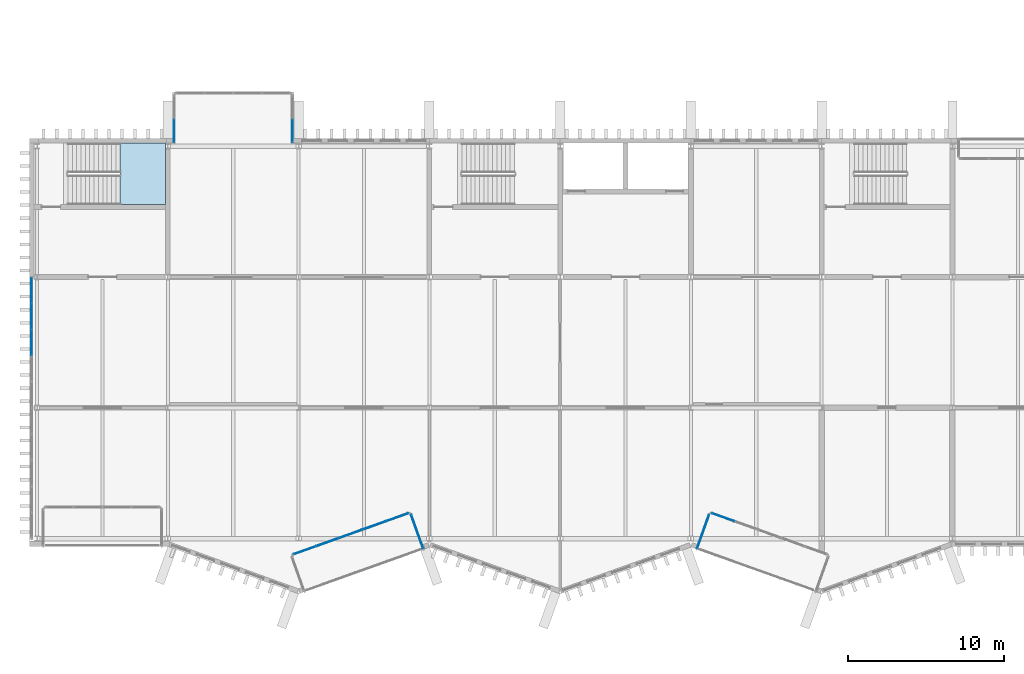
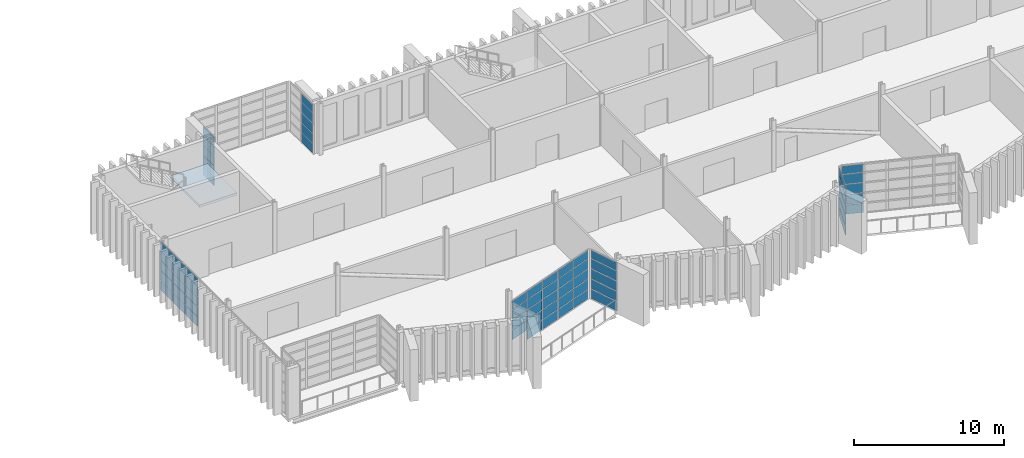
# One storey, part 45 of 100: 64 plates, 1 slab, 8 elements without a shape of their own.
"""IFC4 building model written with IfcOpenShell, lengths in metres."""

from ifc_helpers import new_model, si_unit, direction, frame, origin, origin_2d, place, context, subcontext, project, spatial, polyline, rectangle, outline, extrude, material, layer, layer_set, type_object, element, aggregate, save


model = new_model("IFC4")

# Units and contexts
model_context = context("Model", 3, precision=1e-05, world=origin(), true_north=direction((0.0, 1.0)))
body_context = subcontext(model_context, "Body", "Model", "MODEL_VIEW")
ifc_project = project(units=[si_unit("LENGTHUNIT", "METRE"), si_unit("AREAUNIT", "SQUARE_METRE"), si_unit("VOLUMEUNIT", "CUBIC_METRE"), si_unit("PLANEANGLEUNIT", "RADIAN"), si_unit("MASSUNIT", "GRAM", prefix="KILO")], contexts=[model_context])

# Site, building, storey
site_placement = place(None, origin())
site = spatial("IfcSite", under=ifc_project, at=site_placement, CompositionType="ELEMENT")
building_placement = place(site_placement, origin())
building = spatial("IfcBuilding", under=site, at=building_placement, Name="Cresset Court Congress Hotel", CompositionType="ELEMENT")
storey_placement = place(building_placement, frame((0.0, 0.0, 10.199951171875)))
storey = spatial("IfcBuildingStorey", under=building, at=storey_placement, Name="L02", CompositionType="ELEMENT", Elevation=10.199951171875)

# Curtain wall, plates
ifc_material_1 = material(Name="Aluminium frame with double glazing", Category="aluminium")
ifc_layer_1 = layer(ifc_material_1, 0.199951171875)
ifc_layer_set_1 = layer_set([ifc_layer_1], Name="Glazed box curtain wall 1680 module")
curtain_wall_type = type_object("IfcCurtainWallType", Name="Glazed box curtain wall 1680 module", PredefinedType="NOTDEFINED", material=ifc_layer_set_1)
curtain_wall_1_placement = place(storey_placement, origin())
curtain_wall_1 = element("IfcCurtainWall", 1, at=curtain_wall_1_placement, inside=storey, type_object=curtain_wall_type, Name="Glazed box S0204 front", PredefinedType="NOTDEFINED")
ifc_material_2 = material(Name="Toughened double glazing", Category="glass")
ifc_layer_2 = layer(ifc_material_2, 0.028076171875)
ifc_layer_set_2 = layer_set([ifc_layer_2], Name="Box glass panel 28")
plate_type_1 = type_object("IfcPlateType", Name="Box glass panel 28", PredefinedType="CURTAIN_PANEL", material=ifc_layer_set_2)
plate_1_placement = place(storey_placement, frame((25.590087890625, -0.756103515625, 0.860107421875), z_axis=(0.0, 0.0, 1.0), x_axis=(0.941741911601, 0.336336396981, 0.0)))
plate_1 = element("IfcPlate", 2, at=plate_1_placement, type_object=plate_type_1, Name="B-X1 panel 1.2", PredefinedType="CURTAIN_PANEL", context=body_context, shape_type="SweptSolid", body=[
    extrude(rectangle(XDim=1.493896484375, YDim=0.028076171875, at=origin_2d()), origin(), (0.0, 0.0, 1.0), 0.77001953125),
])
plate_2_placement = place(storey_placement, frame((25.590087890625, -0.756103515625, 1.68994140625), z_axis=(0.0, 0.0, 1.0), x_axis=(0.941741911601, 0.336336396981, 0.0)))
plate_2 = element("IfcPlate", 3, at=plate_2_placement, type_object=plate_type_1, Name="B-X1 panel 1.3", PredefinedType="CURTAIN_PANEL", context=body_context, shape_type="SweptSolid", body=[
    extrude(rectangle(XDim=1.493896484375, YDim=0.028076171875, at=origin_2d()), origin(), (0.0, 0.0, 1.0), 0.77001953125),
])
plate_3_placement = place(storey_placement, frame((25.590087890625, -0.756103515625, 2.52001953125), z_axis=(0.0, 0.0, 1.0), x_axis=(0.941741911601, 0.336336396981, 0.0)))
plate_3 = element("IfcPlate", 4, at=plate_3_placement, type_object=plate_type_1, Name="B-X1 panel 1.4", PredefinedType="CURTAIN_PANEL", context=body_context, shape_type="SweptSolid", body=[
    extrude(rectangle(XDim=1.493896484375, YDim=0.028076171875, at=origin_2d()), origin(), (0.0, 0.0, 1.0), 0.77001953125),
])
plate_4_placement = place(storey_placement, frame((27.067626953125, -0.228271484375, 0.06005859375), z_axis=(0.0, 0.0, 1.0), x_axis=(0.941741911601, 0.336336396981, 0.0)))
plate_4 = element("IfcPlate", 5, at=plate_4_placement, type_object=plate_type_1, Name="B-X1 panel 2.1", PredefinedType="CURTAIN_PANEL", context=body_context, shape_type="SweptSolid", body=[
    extrude(rectangle(XDim=1.52392578125, YDim=0.028076171875, at=origin_2d()), origin(), (0.0, 0.0, 1.0), 0.739990234375),
])
plate_5_placement = place(storey_placement, frame((27.067626953125, -0.228271484375, 0.860107421875), z_axis=(0.0, 0.0, 1.0), x_axis=(0.941741911601, 0.336336396981, 0.0)))
plate_5 = element("IfcPlate", 6, at=plate_5_placement, type_object=plate_type_1, Name="B-X1 panel 2.2", PredefinedType="CURTAIN_PANEL", context=body_context, shape_type="SweptSolid", body=[
    extrude(rectangle(XDim=1.52392578125, YDim=0.028076171875, at=origin_2d()), origin(), (0.0, 0.0, 1.0), 0.77001953125),
])
plate_6_placement = place(storey_placement, frame((27.067626953125, -0.228271484375, 1.68994140625), z_axis=(0.0, 0.0, 1.0), x_axis=(0.941741911601, 0.336336396981, 0.0)))
plate_6 = element("IfcPlate", 7, at=plate_6_placement, type_object=plate_type_1, Name="B-X1 panel 2.3", PredefinedType="CURTAIN_PANEL", context=body_context, shape_type="SweptSolid", body=[
    extrude(rectangle(XDim=1.52392578125, YDim=0.028076171875, at=origin_2d()), origin(), (0.0, 0.0, 1.0), 0.77001953125),
])
plate_7_placement = place(storey_placement, frame((27.067626953125, -0.228271484375, 2.52001953125), z_axis=(0.0, 0.0, 1.0), x_axis=(0.941741911601, 0.336336396981, 0.0)))
plate_7 = element("IfcPlate", 8, at=plate_7_placement, type_object=plate_type_1, Name="B-X1 panel 2.4", PredefinedType="CURTAIN_PANEL", context=body_context, shape_type="SweptSolid", body=[
    extrude(rectangle(XDim=1.52392578125, YDim=0.028076171875, at=origin_2d()), origin(), (0.0, 0.0, 1.0), 0.77001953125),
])
plate_8_placement = place(storey_placement, frame((28.55908203125, 0.304443359375, 0.06005859375), z_axis=(0.0, 0.0, 1.0), x_axis=(0.941741911601, 0.336336396981, 0.0)))
plate_8 = element("IfcPlate", 9, at=plate_8_placement, type_object=plate_type_1, Name="B-X1 panel 3.1", PredefinedType="CURTAIN_PANEL", context=body_context, shape_type="SweptSolid", body=[
    extrude(rectangle(XDim=1.52392578125, YDim=0.028076171875, at=origin_2d()), origin(), (0.0, 0.0, 1.0), 0.739990234375),
])
plate_9_placement = place(storey_placement, frame((28.55908203125, 0.304443359375, 0.860107421875), z_axis=(0.0, 0.0, 1.0), x_axis=(0.941741911601, 0.336336396981, 0.0)))
plate_9 = element("IfcPlate", 10, at=plate_9_placement, type_object=plate_type_1, Name="B-X1 panel 3.2", PredefinedType="CURTAIN_PANEL", context=body_context, shape_type="SweptSolid", body=[
    extrude(rectangle(XDim=1.52392578125, YDim=0.028076171875, at=origin_2d()), origin(), (0.0, 0.0, 1.0), 0.77001953125),
])
plate_10_placement = place(storey_placement, frame((28.55908203125, 0.304443359375, 1.68994140625), z_axis=(0.0, 0.0, 1.0), x_axis=(0.941741911601, 0.336336396981, 0.0)))
plate_10 = element("IfcPlate", 11, at=plate_10_placement, type_object=plate_type_1, Name="B-X1 panel 3.3", PredefinedType="CURTAIN_PANEL", context=body_context, shape_type="SweptSolid", body=[
    extrude(rectangle(XDim=1.52392578125, YDim=0.028076171875, at=origin_2d()), origin(), (0.0, 0.0, 1.0), 0.77001953125),
])
plate_11_placement = place(storey_placement, frame((28.55908203125, 0.304443359375, 2.52001953125), z_axis=(0.0, 0.0, 1.0), x_axis=(0.941741911601, 0.336336396981, 0.0)))
plate_11 = element("IfcPlate", 12, at=plate_11_placement, type_object=plate_type_1, Name="B-X1 panel 3.4", PredefinedType="CURTAIN_PANEL", context=body_context, shape_type="SweptSolid", body=[
    extrude(rectangle(XDim=1.52392578125, YDim=0.028076171875, at=origin_2d()), origin(), (0.0, 0.0, 1.0), 0.77001953125),
])
plate_12_placement = place(storey_placement, frame((30.05078125, 0.837158203125, 0.06005859375), z_axis=(0.0, 0.0, 1.0), x_axis=(0.941741911601, 0.336336396981, 0.0)))
plate_12 = element("IfcPlate", 13, at=plate_12_placement, type_object=plate_type_1, Name="B-X1 panel 4.1", PredefinedType="CURTAIN_PANEL", context=body_context, shape_type="SweptSolid", body=[
    extrude(rectangle(XDim=1.52392578125, YDim=0.028076171875, at=origin_2d()), origin(), (0.0, 0.0, 1.0), 0.739990234375),
])
plate_13_placement = place(storey_placement, frame((30.05078125, 0.837158203125, 0.860107421875), z_axis=(0.0, 0.0, 1.0), x_axis=(0.941741911601, 0.336336396981, 0.0)))
plate_13 = element("IfcPlate", 14, at=plate_13_placement, type_object=plate_type_1, Name="B-X1 panel 4.2", PredefinedType="CURTAIN_PANEL", context=body_context, shape_type="SweptSolid", body=[
    extrude(rectangle(XDim=1.52392578125, YDim=0.028076171875, at=origin_2d()), origin(), (0.0, 0.0, 1.0), 0.77001953125),
])
plate_14_placement = place(storey_placement, frame((30.05078125, 0.837158203125, 1.68994140625), z_axis=(0.0, 0.0, 1.0), x_axis=(0.941741911601, 0.336336396981, 0.0)))
plate_14 = element("IfcPlate", 15, at=plate_14_placement, type_object=plate_type_1, Name="B-X1 panel 4.3", PredefinedType="CURTAIN_PANEL", context=body_context, shape_type="SweptSolid", body=[
    extrude(rectangle(XDim=1.52392578125, YDim=0.028076171875, at=origin_2d()), origin(), (0.0, 0.0, 1.0), 0.77001953125),
])
plate_15_placement = place(storey_placement, frame((30.05078125, 0.837158203125, 2.52001953125), z_axis=(0.0, 0.0, 1.0), x_axis=(0.941741911601, 0.336336396981, 0.0)))
plate_15 = element("IfcPlate", 16, at=plate_15_placement, type_object=plate_type_1, Name="B-X1 panel 4.4", PredefinedType="CURTAIN_PANEL", context=body_context, shape_type="SweptSolid", body=[
    extrude(rectangle(XDim=1.52392578125, YDim=0.028076171875, at=origin_2d()), origin(), (0.0, 0.0, 1.0), 0.77001953125),
])
plate_16_placement = place(storey_placement, frame((31.5283203125, 1.36474609375, 0.06005859375), z_axis=(0.0, 0.0, 1.0), x_axis=(0.941741911601, 0.336336396981, 0.0)))
plate_16 = element("IfcPlate", 17, at=plate_16_placement, type_object=plate_type_1, Name="B-X1 panel 5.1", PredefinedType="CURTAIN_PANEL", context=body_context, shape_type="SweptSolid", body=[
    extrude(rectangle(XDim=1.493896484375, YDim=0.028076171875, at=origin_2d()), origin(), (0.0, 0.0, 1.0), 0.739990234375),
])
plate_17_placement = place(storey_placement, frame((31.5283203125, 1.36474609375, 0.860107421875), z_axis=(0.0, 0.0, 1.0), x_axis=(0.941741911601, 0.336336396981, 0.0)))
plate_17 = element("IfcPlate", 18, at=plate_17_placement, type_object=plate_type_1, Name="B-X1 panel 5.2", PredefinedType="CURTAIN_PANEL", context=body_context, shape_type="SweptSolid", body=[
    extrude(rectangle(XDim=1.493896484375, YDim=0.028076171875, at=origin_2d()), origin(), (0.0, 0.0, 1.0), 0.77001953125),
])
plate_18_placement = place(storey_placement, frame((31.5283203125, 1.36474609375, 1.68994140625), z_axis=(0.0, 0.0, 1.0), x_axis=(0.941741911601, 0.336336396981, 0.0)))
plate_18 = element("IfcPlate", 19, at=plate_18_placement, type_object=plate_type_1, Name="B-X1 panel 5.3", PredefinedType="CURTAIN_PANEL", context=body_context, shape_type="SweptSolid", body=[
    extrude(rectangle(XDim=1.493896484375, YDim=0.028076171875, at=origin_2d()), origin(), (0.0, 0.0, 1.0), 0.77001953125),
])
plate_19_placement = place(storey_placement, frame((31.5283203125, 1.36474609375, 2.52001953125), z_axis=(0.0, 0.0, 1.0), x_axis=(0.941741911601, 0.336336396981, 0.0)))
plate_19 = element("IfcPlate", 20, at=plate_19_placement, type_object=plate_type_1, Name="B-X1 panel 5.4", PredefinedType="CURTAIN_PANEL", context=body_context, shape_type="SweptSolid", body=[
    extrude(rectangle(XDim=1.493896484375, YDim=0.028076171875, at=origin_2d()), origin(), (0.0, 0.0, 1.0), 0.77001953125),
])

curtain_wall_2_placement = place(storey_placement, origin())
curtain_wall_2 = element("IfcCurtainWall", 21, at=curtain_wall_2_placement, inside=storey, type_object=curtain_wall_type, Name="Glazed box S0204 side", PredefinedType="NOTDEFINED")
plate_20_placement = place(storey_placement, frame((32.819580078125, 0.445556640625, 0.06005859375), z_axis=(0.0, 0.0, 1.0), x_axis=(-0.336336396685, 0.941741911707, 0.0)))
plate_20 = element("IfcPlate", 22, at=plate_20_placement, type_object=plate_type_1, Name="B-X1 panel 1.1", PredefinedType="CURTAIN_PANEL", context=body_context, shape_type="SweptSolid", body=[
    extrude(rectangle(XDim=2.280029296875, YDim=0.028076171875, at=origin_2d()), origin(), (0.0, 0.0, 1.0), 0.739990234375),
])
plate_21_placement = place(storey_placement, frame((32.819580078125, 0.445556640625, 0.860107421875), z_axis=(0.0, 0.0, 1.0), x_axis=(-0.336336396685, 0.941741911707, 0.0)))
plate_21 = element("IfcPlate", 23, at=plate_21_placement, type_object=plate_type_1, Name="B-X1 panel 1.2", PredefinedType="CURTAIN_PANEL", context=body_context, shape_type="SweptSolid", body=[
    extrude(rectangle(XDim=2.280029296875, YDim=0.028076171875, at=origin_2d()), origin(), (0.0, 0.0, 1.0), 0.77001953125),
])
plate_22_placement = place(storey_placement, frame((32.819580078125, 0.445556640625, 1.68994140625), z_axis=(0.0, 0.0, 1.0), x_axis=(-0.336336396685, 0.941741911707, 0.0)))
plate_22 = element("IfcPlate", 24, at=plate_22_placement, type_object=plate_type_1, Name="B-X1 panel 1.3", PredefinedType="CURTAIN_PANEL", context=body_context, shape_type="SweptSolid", body=[
    extrude(rectangle(XDim=2.280029296875, YDim=0.028076171875, at=origin_2d()), origin(), (0.0, 0.0, 1.0), 0.77001953125),
])
plate_23_placement = place(storey_placement, frame((32.819580078125, 0.445556640625, 2.52001953125), z_axis=(0.0, 0.0, 1.0), x_axis=(-0.336336396685, 0.941741911707, 0.0)))
plate_23 = element("IfcPlate", 25, at=plate_23_placement, type_object=plate_type_1, Name="B-X1 panel 1.4", PredefinedType="CURTAIN_PANEL", context=body_context, shape_type="SweptSolid", body=[
    extrude(rectangle(XDim=2.280029296875, YDim=0.028076171875, at=origin_2d()), origin(), (0.0, 0.0, 1.0), 0.77001953125),
])

curtain_wall_3_placement = place(storey_placement, origin())
curtain_wall_3 = element("IfcCurtainWall", 26, at=curtain_wall_3_placement, inside=storey, type_object=curtain_wall_type, Name="Glazed box S0207 front", PredefinedType="NOTDEFINED")
plate_24_placement = place(storey_placement, frame((52.4716796875, 1.36474609375, 0.06005859375), z_axis=(0.0, 0.0, 1.0), x_axis=(0.941741911601, -0.336336396981, 0.0)))
plate_24 = element("IfcPlate", 27, at=plate_24_placement, type_object=plate_type_1, Name="B-X1 panel 1.1", PredefinedType="CURTAIN_PANEL", context=body_context, shape_type="SweptSolid", body=[
    extrude(rectangle(XDim=1.493896484375, YDim=0.028076171875, at=origin_2d()), origin(), (0.0, 0.0, 1.0), 0.739990234375),
])
plate_25_placement = place(storey_placement, frame((52.4716796875, 1.36474609375, 0.860107421875), z_axis=(0.0, 0.0, 1.0), x_axis=(0.941741911601, -0.336336396981, 0.0)))
plate_25 = element("IfcPlate", 28, at=plate_25_placement, type_object=plate_type_1, Name="B-X1 panel 1.2", PredefinedType="CURTAIN_PANEL", context=body_context, shape_type="SweptSolid", body=[
    extrude(rectangle(XDim=1.493896484375, YDim=0.028076171875, at=origin_2d()), origin(), (0.0, 0.0, 1.0), 0.77001953125),
])
plate_26_placement = place(storey_placement, frame((52.4716796875, 1.36474609375, 1.68994140625), z_axis=(0.0, 0.0, 1.0), x_axis=(0.941741911601, -0.336336396981, 0.0)))
plate_26 = element("IfcPlate", 29, at=plate_26_placement, type_object=plate_type_1, Name="B-X1 panel 1.3", PredefinedType="CURTAIN_PANEL", context=body_context, shape_type="SweptSolid", body=[
    extrude(rectangle(XDim=1.493896484375, YDim=0.028076171875, at=origin_2d()), origin(), (0.0, 0.0, 1.0), 0.77001953125),
])
plate_27_placement = place(storey_placement, frame((52.4716796875, 1.36474609375, 2.52001953125), z_axis=(0.0, 0.0, 1.0), x_axis=(0.941741911601, -0.336336396981, 0.0)))
plate_27 = element("IfcPlate", 30, at=plate_27_placement, type_object=plate_type_1, Name="B-X1 panel 1.4", PredefinedType="CURTAIN_PANEL", context=body_context, shape_type="SweptSolid", body=[
    extrude(rectangle(XDim=1.493896484375, YDim=0.028076171875, at=origin_2d()), origin(), (0.0, 0.0, 1.0), 0.77001953125),
])

curtain_wall_4_placement = place(storey_placement, origin())
curtain_wall_4 = element("IfcCurtainWall", 31, at=curtain_wall_4_placement, inside=storey, type_object=curtain_wall_type, Name="Glazed box S0207 side", PredefinedType="NOTDEFINED")
plate_28_placement = place(storey_placement, frame((51.180419921875, 0.445556640625, 0.06005859375), z_axis=(0.0, 0.0, 1.0), x_axis=(0.336336396685, 0.941741911707, 0.0)))
plate_28 = element("IfcPlate", 32, at=plate_28_placement, type_object=plate_type_1, Name="B-X1 panel 1.1", PredefinedType="CURTAIN_PANEL", context=body_context, shape_type="SweptSolid", body=[
    extrude(rectangle(XDim=2.280029296875, YDim=0.028076171875, at=origin_2d()), origin(), (0.0, 0.0, 1.0), 0.739990234375),
])
plate_29_placement = place(storey_placement, frame((51.180419921875, 0.445556640625, 0.860107421875), z_axis=(0.0, 0.0, 1.0), x_axis=(0.336336396685, 0.941741911707, 0.0)))
plate_29 = element("IfcPlate", 33, at=plate_29_placement, type_object=plate_type_1, Name="B-X1 panel 1.2", PredefinedType="CURTAIN_PANEL", context=body_context, shape_type="SweptSolid", body=[
    extrude(rectangle(XDim=2.280029296875, YDim=0.028076171875, at=origin_2d()), origin(), (0.0, 0.0, 1.0), 0.77001953125),
])
plate_30_placement = place(storey_placement, frame((51.180419921875, 0.445556640625, 1.68994140625), z_axis=(0.0, 0.0, 1.0), x_axis=(0.336336396685, 0.941741911707, 0.0)))
plate_30 = element("IfcPlate", 34, at=plate_30_placement, type_object=plate_type_1, Name="B-X1 panel 1.3", PredefinedType="CURTAIN_PANEL", context=body_context, shape_type="SweptSolid", body=[
    extrude(rectangle(XDim=2.280029296875, YDim=0.028076171875, at=origin_2d()), origin(), (0.0, 0.0, 1.0), 0.77001953125),
])
plate_31_placement = place(storey_placement, frame((51.180419921875, 0.445556640625, 2.52001953125), z_axis=(0.0, 0.0, 1.0), x_axis=(0.336336396685, 0.941741911707, 0.0)))
plate_31 = element("IfcPlate", 35, at=plate_31_placement, type_object=plate_type_1, Name="B-X1 panel 1.4", PredefinedType="CURTAIN_PANEL", context=body_context, shape_type="SweptSolid", body=[
    extrude(rectangle(XDim=2.280029296875, YDim=0.028076171875, at=origin_2d()), origin(), (0.0, 0.0, 1.0), 0.77001953125),
])

curtain_wall_5_placement = place(storey_placement, origin())
curtain_wall_5 = element("IfcCurtainWall", 36, at=curtain_wall_5_placement, inside=storey, type_object=curtain_wall_type, Name="Glazed box N0224 side", PredefinedType="NOTDEFINED")
plate_32_placement = place(storey_placement, frame((17.199951171875, 26.18994140625, 0.06005859375), z_axis=(0.0, 0.0, 1.0), x_axis=(0.0, 1.0, 0.0)))
plate_32 = element("IfcPlate", 37, at=plate_32_placement, type_object=plate_type_1, Name="B-X1 panel 1.1", PredefinedType="CURTAIN_PANEL", context=body_context, shape_type="SweptSolid", body=[
    extrude(rectangle(XDim=1.4599609375, YDim=0.028076171875, at=origin_2d()), origin(), (0.0, 0.0, 1.0), 0.739990234375),
])
plate_33_placement = place(storey_placement, frame((17.199951171875, 26.18994140625, 0.860107421875), z_axis=(0.0, 0.0, 1.0), x_axis=(0.0, 1.0, 0.0)))
plate_33 = element("IfcPlate", 38, at=plate_33_placement, type_object=plate_type_1, Name="B-X1 panel 1.2", PredefinedType="CURTAIN_PANEL", context=body_context, shape_type="SweptSolid", body=[
    extrude(rectangle(XDim=1.4599609375, YDim=0.028076171875, at=origin_2d()), origin(), (0.0, 0.0, 1.0), 0.77001953125),
])
plate_34_placement = place(storey_placement, frame((17.199951171875, 26.18994140625, 1.68994140625), z_axis=(0.0, 0.0, 1.0), x_axis=(0.0, 1.0, 0.0)))
plate_34 = element("IfcPlate", 39, at=plate_34_placement, type_object=plate_type_1, Name="B-X1 panel 1.3", PredefinedType="CURTAIN_PANEL", context=body_context, shape_type="SweptSolid", body=[
    extrude(rectangle(XDim=1.4599609375, YDim=0.028076171875, at=origin_2d()), origin(), (0.0, 0.0, 1.0), 0.77001953125),
])
plate_35_placement = place(storey_placement, frame((17.199951171875, 26.18994140625, 2.52001953125), z_axis=(0.0, 0.0, 1.0), x_axis=(0.0, 1.0, 0.0)))
plate_35 = element("IfcPlate", 40, at=plate_35_placement, type_object=plate_type_1, Name="B-X1 panel 1.4", PredefinedType="CURTAIN_PANEL", context=body_context, shape_type="SweptSolid", body=[
    extrude(rectangle(XDim=1.4599609375, YDim=0.028076171875, at=origin_2d()), origin(), (0.0, 0.0, 1.0), 0.77001953125),
])

curtain_wall_6_placement = place(storey_placement, origin())
curtain_wall_6 = element("IfcCurtainWall", 41, at=curtain_wall_6_placement, inside=storey, type_object=curtain_wall_type, Name="Glazed box N0224 side", PredefinedType="NOTDEFINED")
plate_36_placement = place(storey_placement, frame((24.800048828125, 26.18994140625, 0.06005859375), z_axis=(0.0, 0.0, 1.0), x_axis=(0.0, 1.0, 0.0)))
plate_36 = element("IfcPlate", 42, at=plate_36_placement, type_object=plate_type_1, Name="B-X1 panel 1.1", PredefinedType="CURTAIN_PANEL", context=body_context, shape_type="SweptSolid", body=[
    extrude(rectangle(XDim=1.4599609375, YDim=0.028076171875, at=origin_2d()), origin(), (0.0, 0.0, 1.0), 0.739990234375),
])
plate_37_placement = place(storey_placement, frame((24.800048828125, 26.18994140625, 0.860107421875), z_axis=(0.0, 0.0, 1.0), x_axis=(0.0, 1.0, 0.0)))
plate_37 = element("IfcPlate", 43, at=plate_37_placement, type_object=plate_type_1, Name="B-X1 panel 1.2", PredefinedType="CURTAIN_PANEL", context=body_context, shape_type="SweptSolid", body=[
    extrude(rectangle(XDim=1.4599609375, YDim=0.028076171875, at=origin_2d()), origin(), (0.0, 0.0, 1.0), 0.77001953125),
])
plate_38_placement = place(storey_placement, frame((24.800048828125, 26.18994140625, 1.68994140625), z_axis=(0.0, 0.0, 1.0), x_axis=(0.0, 1.0, 0.0)))
plate_38 = element("IfcPlate", 44, at=plate_38_placement, type_object=plate_type_1, Name="B-X1 panel 1.3", PredefinedType="CURTAIN_PANEL", context=body_context, shape_type="SweptSolid", body=[
    extrude(rectangle(XDim=1.4599609375, YDim=0.028076171875, at=origin_2d()), origin(), (0.0, 0.0, 1.0), 0.77001953125),
])
plate_39_placement = place(storey_placement, frame((24.800048828125, 26.18994140625, 2.52001953125), z_axis=(0.0, 0.0, 1.0), x_axis=(0.0, 1.0, 0.0)))
plate_39 = element("IfcPlate", 45, at=plate_39_placement, type_object=plate_type_1, Name="B-X1 panel 1.4", PredefinedType="CURTAIN_PANEL", context=body_context, shape_type="SweptSolid", body=[
    extrude(rectangle(XDim=1.4599609375, YDim=0.028076171875, at=origin_2d()), origin(), (0.0, 0.0, 1.0), 0.77001953125),
])

curtain_wall_7_placement = place(storey_placement, origin())
curtain_wall_7 = element("IfcCurtainWall", 46, at=curtain_wall_7_placement, inside=storey, type_object=curtain_wall_type, Name="Foyer glazed front L02", PredefinedType="NOTDEFINED")
plate_40_placement = place(storey_placement, frame((8.050048828125, 12.60009765625, 0.06005859375), z_axis=(0.0, 0.0, 1.0), x_axis=(0.0, 1.0, 0.0)))
plate_40 = element("IfcPlate", 47, at=plate_40_placement, type_object=plate_type_1, Name="B-X1 panel 8.1", PredefinedType="CURTAIN_PANEL", context=body_context, shape_type="SweptSolid", body=[
    extrude(rectangle(XDim=1.6201171875, YDim=0.028076171875, at=origin_2d()), origin(), (0.0, 0.0, 1.0), 0.739990234375),
])
plate_41_placement = place(storey_placement, frame((8.050048828125, 12.60009765625, 0.860107421875), z_axis=(0.0, 0.0, 1.0), x_axis=(0.0, 1.0, 0.0)))
plate_41 = element("IfcPlate", 48, at=plate_41_placement, type_object=plate_type_1, Name="B-X1 panel 8.2", PredefinedType="CURTAIN_PANEL", context=body_context, shape_type="SweptSolid", body=[
    extrude(rectangle(XDim=1.6201171875, YDim=0.028076171875, at=origin_2d()), origin(), (0.0, 0.0, 1.0), 0.77001953125),
])
plate_42_placement = place(storey_placement, frame((8.050048828125, 12.60009765625, 1.68994140625), z_axis=(0.0, 0.0, 1.0), x_axis=(0.0, 1.0, 0.0)))
plate_42 = element("IfcPlate", 49, at=plate_42_placement, type_object=plate_type_1, Name="B-X1 panel 8.3", PredefinedType="CURTAIN_PANEL", context=body_context, shape_type="SweptSolid", body=[
    extrude(rectangle(XDim=1.6201171875, YDim=0.028076171875, at=origin_2d()), origin(), (0.0, 0.0, 1.0), 0.77001953125),
])
plate_43_placement = place(storey_placement, frame((8.050048828125, 12.60009765625, 2.52001953125), z_axis=(0.0, 0.0, 1.0), x_axis=(0.0, 1.0, 0.0)))
plate_43 = element("IfcPlate", 50, at=plate_43_placement, type_object=plate_type_1, Name="B-X1 panel 8.4", PredefinedType="CURTAIN_PANEL", context=body_context, shape_type="SweptSolid", body=[
    extrude(rectangle(XDim=1.6201171875, YDim=0.028076171875, at=origin_2d()), origin(), (0.0, 0.0, 1.0), 0.77001953125),
])
plate_44_placement = place(storey_placement, frame((8.050048828125, 14.280029296875, 0.06005859375), z_axis=(0.0, 0.0, 1.0), x_axis=(0.0, 1.0, 0.0)))
plate_44 = element("IfcPlate", 51, at=plate_44_placement, type_object=plate_type_1, Name="B-X1 panel 9.1", PredefinedType="CURTAIN_PANEL", context=body_context, shape_type="SweptSolid", body=[
    extrude(rectangle(XDim=1.6201171875, YDim=0.028076171875, at=origin_2d()), origin(), (0.0, 0.0, 1.0), 0.739990234375),
])
plate_45_placement = place(storey_placement, frame((8.050048828125, 14.280029296875, 0.860107421875), z_axis=(0.0, 0.0, 1.0), x_axis=(0.0, 1.0, 0.0)))
plate_45 = element("IfcPlate", 52, at=plate_45_placement, type_object=plate_type_1, Name="B-X1 panel 9.2", PredefinedType="CURTAIN_PANEL", context=body_context, shape_type="SweptSolid", body=[
    extrude(rectangle(XDim=1.6201171875, YDim=0.028076171875, at=origin_2d()), origin(), (0.0, 0.0, 1.0), 0.77001953125),
])
plate_46_placement = place(storey_placement, frame((8.050048828125, 14.280029296875, 1.68994140625), z_axis=(0.0, 0.0, 1.0), x_axis=(0.0, 1.0, 0.0)))
plate_46 = element("IfcPlate", 53, at=plate_46_placement, type_object=plate_type_1, Name="B-X1 panel 9.3", PredefinedType="CURTAIN_PANEL", context=body_context, shape_type="SweptSolid", body=[
    extrude(rectangle(XDim=1.6201171875, YDim=0.028076171875, at=origin_2d()), origin(), (0.0, 0.0, 1.0), 0.77001953125),
])
plate_47_placement = place(storey_placement, frame((8.050048828125, 14.280029296875, 2.52001953125), z_axis=(0.0, 0.0, 1.0), x_axis=(0.0, 1.0, 0.0)))
plate_47 = element("IfcPlate", 54, at=plate_47_placement, type_object=plate_type_1, Name="B-X1 panel 9.4", PredefinedType="CURTAIN_PANEL", context=body_context, shape_type="SweptSolid", body=[
    extrude(rectangle(XDim=1.6201171875, YDim=0.028076171875, at=origin_2d()), origin(), (0.0, 0.0, 1.0), 0.77001953125),
])
plate_48_placement = place(storey_placement, frame((8.050048828125, 15.945068359375, 0.06005859375), z_axis=(0.0, 0.0, 1.0), x_axis=(0.0, 1.0, 0.0)))
plate_48 = element("IfcPlate", 55, at=plate_48_placement, type_object=plate_type_1, Name="B-X1 panel 10.1", PredefinedType="CURTAIN_PANEL", context=body_context, shape_type="SweptSolid", body=[
    extrude(rectangle(XDim=1.590087890625, YDim=0.028076171875, at=origin_2d()), origin(), (0.0, 0.0, 1.0), 0.739990234375),
])
plate_49_placement = place(storey_placement, frame((8.050048828125, 15.945068359375, 0.860107421875), z_axis=(0.0, 0.0, 1.0), x_axis=(0.0, 1.0, 0.0)))
plate_49 = element("IfcPlate", 56, at=plate_49_placement, type_object=plate_type_1, Name="B-X1 panel 10.2", PredefinedType="CURTAIN_PANEL", context=body_context, shape_type="SweptSolid", body=[
    extrude(rectangle(XDim=1.590087890625, YDim=0.028076171875, at=origin_2d()), origin(), (0.0, 0.0, 1.0), 0.77001953125),
])
plate_50_placement = place(storey_placement, frame((8.050048828125, 15.945068359375, 1.68994140625), z_axis=(0.0, 0.0, 1.0), x_axis=(0.0, 1.0, 0.0)))
plate_50 = element("IfcPlate", 57, at=plate_50_placement, type_object=plate_type_1, Name="B-X1 panel 10.3", PredefinedType="CURTAIN_PANEL", context=body_context, shape_type="SweptSolid", body=[
    extrude(rectangle(XDim=1.590087890625, YDim=0.028076171875, at=origin_2d()), origin(), (0.0, 0.0, 1.0), 0.77001953125),
])
plate_51_placement = place(storey_placement, frame((8.050048828125, 15.945068359375, 2.52001953125), z_axis=(0.0, 0.0, 1.0), x_axis=(0.0, 1.0, 0.0)))
plate_51 = element("IfcPlate", 58, at=plate_51_placement, type_object=plate_type_1, Name="B-X1 panel 10.4", PredefinedType="CURTAIN_PANEL", context=body_context, shape_type="SweptSolid", body=[
    extrude(rectangle(XDim=1.590087890625, YDim=0.028076171875, at=origin_2d()), origin(), (0.0, 0.0, 1.0), 0.77001953125),
])

# Plate
ifc_material_3 = material(Name="Insulated aluminium spandrel panel", Category="aluminium")
ifc_layer_3 = layer(ifc_material_3, 0.0400390625)
ifc_layer_set_3 = layer_set([ifc_layer_3], Name="Box spandrel panel 40")
plate_type_2 = type_object("IfcPlateType", Name="Box spandrel panel 40", PredefinedType="CURTAIN_PANEL", material=ifc_layer_set_3)
plate_52_placement = place(storey_placement, frame((25.590087890625, -0.756103515625, 3.35009765625), z_axis=(0.0, 0.0, 1.0), x_axis=(0.941741911601, 0.336336396981, 0.0)))
plate_52 = element("IfcPlate", 59, at=plate_52_placement, type_object=plate_type_2, Name="B-X1 spandrel panel 1.5", PredefinedType="CURTAIN_PANEL", context=body_context, shape_type="SweptSolid", body=[
    extrude(rectangle(XDim=1.493896484375, YDim=0.0400390625, at=origin_2d()), origin(), (0.0, 0.0, 1.0), 0.639892578125),
])

plate_53_placement = place(storey_placement, frame((27.067626953125, -0.228271484375, 3.35009765625), z_axis=(0.0, 0.0, 1.0), x_axis=(0.941741911601, 0.336336396981, 0.0)))
plate_53 = element("IfcPlate", 60, at=plate_53_placement, type_object=plate_type_2, Name="B-X1 spandrel panel 2.5", PredefinedType="CURTAIN_PANEL", context=body_context, shape_type="SweptSolid", body=[
    extrude(rectangle(XDim=1.52392578125, YDim=0.0400390625, at=origin_2d()), origin(), (0.0, 0.0, 1.0), 0.639892578125),
])

plate_54_placement = place(storey_placement, frame((28.55908203125, 0.304443359375, 3.35009765625), z_axis=(0.0, 0.0, 1.0), x_axis=(0.941741911601, 0.336336396981, 0.0)))
plate_54 = element("IfcPlate", 61, at=plate_54_placement, type_object=plate_type_2, Name="B-X1 spandrel panel 3.5", PredefinedType="CURTAIN_PANEL", context=body_context, shape_type="SweptSolid", body=[
    extrude(rectangle(XDim=1.52392578125, YDim=0.0400390625, at=origin_2d()), origin(), (0.0, 0.0, 1.0), 0.639892578125),
])

plate_55_placement = place(storey_placement, frame((30.05078125, 0.837158203125, 3.35009765625), z_axis=(0.0, 0.0, 1.0), x_axis=(0.941741911601, 0.336336396981, 0.0)))
plate_55 = element("IfcPlate", 62, at=plate_55_placement, type_object=plate_type_2, Name="B-X1 spandrel panel 4.5", PredefinedType="CURTAIN_PANEL", context=body_context, shape_type="SweptSolid", body=[
    extrude(rectangle(XDim=1.52392578125, YDim=0.0400390625, at=origin_2d()), origin(), (0.0, 0.0, 1.0), 0.639892578125),
])

plate_56_placement = place(storey_placement, frame((31.5283203125, 1.36474609375, 3.35009765625), z_axis=(0.0, 0.0, 1.0), x_axis=(0.941741911601, 0.336336396981, 0.0)))
plate_56 = element("IfcPlate", 63, at=plate_56_placement, type_object=plate_type_2, Name="B-X1 spandrel panel 5.5", PredefinedType="CURTAIN_PANEL", context=body_context, shape_type="SweptSolid", body=[
    extrude(rectangle(XDim=1.493896484375, YDim=0.0400390625, at=origin_2d()), origin(), (0.0, 0.0, 1.0), 0.639892578125),
])

aggregate(curtain_wall_1, [plate_1, plate_2, plate_3, plate_52, plate_4, plate_5, plate_6, plate_7, plate_53, plate_8, plate_9, plate_10, plate_11, plate_54, plate_12, plate_13, plate_14, plate_15, plate_55, plate_16, plate_17, plate_18, plate_19, plate_56])

plate_57_placement = place(storey_placement, frame((32.819580078125, 0.445556640625, 3.35009765625), z_axis=(0.0, 0.0, 1.0), x_axis=(-0.336336396685, 0.941741911707, 0.0)))
plate_57 = element("IfcPlate", 64, at=plate_57_placement, type_object=plate_type_2, Name="B-X1 spandrel panel 1.5", PredefinedType="CURTAIN_PANEL", context=body_context, shape_type="SweptSolid", body=[
    extrude(rectangle(XDim=2.280029296875, YDim=0.0400390625, at=origin_2d()), origin(), (0.0, 0.0, 1.0), 0.639892578125),
])

aggregate(curtain_wall_2, [plate_20, plate_21, plate_22, plate_23, plate_57])

plate_58_placement = place(storey_placement, frame((52.4716796875, 1.36474609375, 3.35009765625), z_axis=(0.0, 0.0, 1.0), x_axis=(0.941741911601, -0.336336396981, 0.0)))
plate_58 = element("IfcPlate", 65, at=plate_58_placement, type_object=plate_type_2, Name="B-X1 spandrel panel 1.5", PredefinedType="CURTAIN_PANEL", context=body_context, shape_type="SweptSolid", body=[
    extrude(rectangle(XDim=1.493896484375, YDim=0.0400390625, at=origin_2d()), origin(), (0.0, 0.0, 1.0), 0.639892578125),
])

aggregate(curtain_wall_3, [plate_24, plate_25, plate_26, plate_27, plate_58])

plate_59_placement = place(storey_placement, frame((51.180419921875, 0.445556640625, 3.35009765625), z_axis=(0.0, 0.0, 1.0), x_axis=(0.336336396685, 0.941741911707, 0.0)))
plate_59 = element("IfcPlate", 66, at=plate_59_placement, type_object=plate_type_2, Name="B-X1 spandrel panel 1.5", PredefinedType="CURTAIN_PANEL", context=body_context, shape_type="SweptSolid", body=[
    extrude(rectangle(XDim=2.280029296875, YDim=0.0400390625, at=origin_2d()), origin(), (0.0, 0.0, 1.0), 0.639892578125),
])

aggregate(curtain_wall_4, [plate_28, plate_29, plate_30, plate_31, plate_59])

plate_60_placement = place(storey_placement, frame((17.199951171875, 26.18994140625, 3.35009765625), z_axis=(0.0, 0.0, 1.0), x_axis=(0.0, 1.0, 0.0)))
plate_60 = element("IfcPlate", 67, at=plate_60_placement, type_object=plate_type_2, Name="B-X1 spandrel panel 1.5", PredefinedType="CURTAIN_PANEL", context=body_context, shape_type="SweptSolid", body=[
    extrude(rectangle(XDim=1.4599609375, YDim=0.0400390625, at=origin_2d()), origin(), (0.0, 0.0, 1.0), 0.639892578125),
])

aggregate(curtain_wall_5, [plate_32, plate_33, plate_34, plate_35, plate_60])

plate_61_placement = place(storey_placement, frame((24.800048828125, 26.18994140625, 3.35009765625), z_axis=(0.0, 0.0, 1.0), x_axis=(0.0, 1.0, 0.0)))
plate_61 = element("IfcPlate", 68, at=plate_61_placement, type_object=plate_type_2, Name="B-X1 spandrel panel 1.5", PredefinedType="CURTAIN_PANEL", context=body_context, shape_type="SweptSolid", body=[
    extrude(rectangle(XDim=1.4599609375, YDim=0.0400390625, at=origin_2d()), origin(), (0.0, 0.0, 1.0), 0.639892578125),
])

aggregate(curtain_wall_6, [plate_36, plate_37, plate_38, plate_39, plate_61])

plate_62_placement = place(storey_placement, frame((8.050048828125, 12.60009765625, 3.35009765625), z_axis=(0.0, 0.0, 1.0), x_axis=(0.0, 1.0, 0.0)))
plate_62 = element("IfcPlate", 69, at=plate_62_placement, type_object=plate_type_2, Name="B-X1 spandrel panel 8.5", PredefinedType="CURTAIN_PANEL", context=body_context, shape_type="SweptSolid", body=[
    extrude(rectangle(XDim=1.6201171875, YDim=0.0400390625, at=origin_2d()), origin(), (0.0, 0.0, 1.0), 0.639892578125),
])

plate_63_placement = place(storey_placement, frame((8.050048828125, 14.280029296875, 3.35009765625), z_axis=(0.0, 0.0, 1.0), x_axis=(0.0, 1.0, 0.0)))
plate_63 = element("IfcPlate", 70, at=plate_63_placement, type_object=plate_type_2, Name="B-X1 spandrel panel 9.5", PredefinedType="CURTAIN_PANEL", context=body_context, shape_type="SweptSolid", body=[
    extrude(rectangle(XDim=1.6201171875, YDim=0.0400390625, at=origin_2d()), origin(), (0.0, 0.0, 1.0), 0.639892578125),
])

plate_64_placement = place(storey_placement, frame((8.050048828125, 15.945068359375, 3.35009765625), z_axis=(0.0, 0.0, 1.0), x_axis=(0.0, 1.0, 0.0)))
plate_64 = element("IfcPlate", 71, at=plate_64_placement, type_object=plate_type_2, Name="B-X1 spandrel panel 10.5", PredefinedType="CURTAIN_PANEL", context=body_context, shape_type="SweptSolid", body=[
    extrude(rectangle(XDim=1.590087890625, YDim=0.0400390625, at=origin_2d()), origin(), (0.0, 0.0, 1.0), 0.639892578125),
])

aggregate(curtain_wall_7, [plate_40, plate_41, plate_42, plate_43, plate_62, plate_44, plate_45, plate_46, plate_47, plate_63, plate_48, plate_49, plate_50, plate_51, plate_64])

# Stair, slab
ifc_material_4 = material(Name="Concrete C40", Category="concrete")
stair_type = type_object("IfcStairType", Name="Dog-leg stair 1400 flights", PredefinedType="HALF_TURN_STAIR", material=ifc_material_4)
stair_placement = place(storey_placement, origin())
stair = element("IfcStair", 72, at=stair_placement, inside=storey, type_object=stair_type, Name="L02 Stair ST-B1", PredefinedType="HALF_TURN_STAIR")
ifc_material_5 = material(Name="Concrete C40", Category="concrete")
ifc_layer_4 = layer(ifc_material_5, 0.199951171875)
ifc_layer_set_4 = layer_set([ifc_layer_4], Name="Stair landing 200")
slab_type = type_object("IfcSlabType", Name="Stair landing 200", PredefinedType="LANDING", material=ifc_layer_set_4)
slab_placement = place(storey_placement, frame((0.0, 0.0, 1.900146484375)))
slab = element("IfcSlab", 73, at=slab_placement, type_object=slab_type, Name="ST-B1 landing 1", PredefinedType="LANDING", context=body_context, shape_type="SweptSolid", body=[
    extrude(outline(polyline([(13.739990234375, 21.449951171875), (16.64990234375, 21.449951171875), (16.64990234375, 25.39990234375), (13.739990234375, 25.39990234375), (13.739990234375, 21.449951171875)])), origin(), (0.0, 0.0, 1.0), 0.199951171875),
])
aggregate(stair, [slab])

save(model, "model.ifc")
